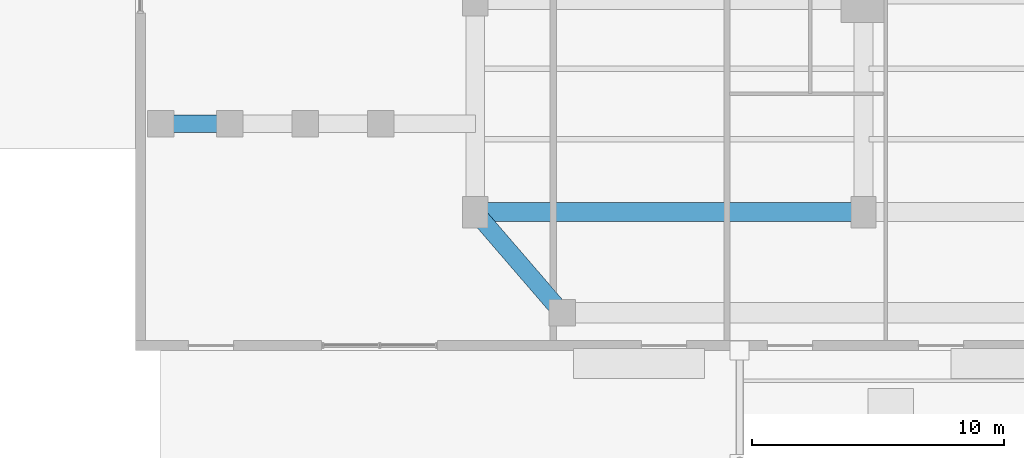
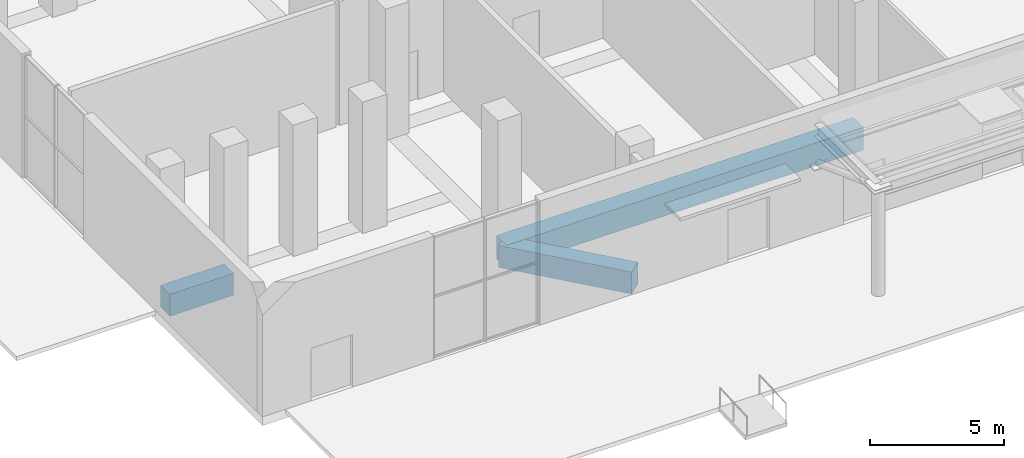
# One storey, part 5 of 25: 3 beams.
"""IFC4 building model written with IfcOpenShell, lengths in metres."""

from ifc_helpers import new_model, si_unit, direction, frame, origin, origin_2d, place, context, subcontext, project, spatial, rectangle, extrude, source, transform, mapped, material, material_profile, profile_set, type_object, element, save


model = new_model("IFC4")

# Units and contexts
model_context = context("Model", 3, precision=1e-05, world=origin(), true_north=direction((0.0, 1.0)))
body_context = subcontext(model_context, "Body", "Model", "MODEL_VIEW")
ifc_project = project(units=[si_unit("LENGTHUNIT", "METRE"), si_unit("AREAUNIT", "SQUARE_METRE"), si_unit("VOLUMEUNIT", "CUBIC_METRE"), si_unit("PLANEANGLEUNIT", "RADIAN"), si_unit("MASSUNIT", "GRAM", prefix="KILO"), si_unit("THERMODYNAMICTEMPERATUREUNIT", "KELVIN")], contexts=[model_context])

# Site, building, storey
site_placement = place(None, origin())
site = spatial("IfcSite", under=ifc_project, at=site_placement, CompositionType="ELEMENT")
building_placement = place(site_placement, origin())
building = spatial("IfcBuilding", under=site, at=building_placement, Name="Kosmvard Interchange Tower", CompositionType="ELEMENT")
storey_placement = place(building_placement, origin())
storey = spatial("IfcBuildingStorey", under=building, at=storey_placement, Name="L00", CompositionType="ELEMENT", Elevation=0.0)

# Beams
ifc_material = material(Name="Concrete C60/75", Category="concrete")
ifc_material_profile_1 = material_profile(ifc_material, rectangle(XDim=0.75, YDim=1.050048828125, at=origin_2d()), Name="RCG 750x1050")
ifc_profile_set_1 = profile_set([ifc_material_profile_1], Name="Concrete C60/75")
beam_type_1 = type_object("IfcBeamType", Name="Concourse Mid-Span RC Girder 750x1050 C60/75", PredefinedType="BEAM", material=ifc_profile_set_1)
shared_shape_1 = source(origin(), body_context, "Body", "SweptSolid", [
    extrude(rectangle(XDim=0.75, YDim=1.050048828125, at=origin_2d()), origin(), (0.0, 0.0, 1.0), 15.4189453125),
])
beam_1_placement = place(storey_placement, frame((-28.5, -21.5, -0.52490234375), z_axis=(1.0, 0.0, 0.0), x_axis=(0.0, 1.0, 0.0)))
element("IfcBeam", 1, at=beam_1_placement, inside=storey, type_object=beam_type_1, Name="BM-L00-PG-S1", PredefinedType="BEAM", context=body_context, shape_type="MappedRepresentation", body=[
    mapped(shared_shape_1, transform((0.0, 0.0, 0.0), scale=1.0)),
])
ifc_material_profile_2 = material_profile(ifc_material, rectangle(XDim=0.699951171875, YDim=1.0, at=origin_2d()), Name="RCG 700x1000")
ifc_profile_set_2 = profile_set([ifc_material_profile_2], Name="Concrete C60/75")
beam_type_2 = type_object("IfcBeamType", Name="Concourse Primary RC Girder 700x1000 C60/75", PredefinedType="BEAM", material=ifc_profile_set_2)
shared_shape_2 = source(origin(), body_context, "Body", "SweptSolid", [
    extrude(rectangle(XDim=0.699951171875, YDim=1.0, at=origin_2d()), origin(), (0.0, 0.0, 1.0), 5.2822265625),
])
beam_2_placement = place(storey_placement, frame((-25.050048828125, -25.5, -0.5), z_axis=(-0.653121547432, 0.757253091298, 0.0), x_axis=(-0.757253091298, -0.653121547432, 0.0)))
element("IfcBeam", 2, at=beam_2_placement, inside=storey, type_object=beam_type_2, Name="BM-L00-PG-TSL", PredefinedType="BEAM", context=body_context, shape_type="MappedRepresentation", body=[
    mapped(shared_shape_2, transform((0.0, 0.0, 0.0), scale=1.0)),
])
shared_shape_3 = source(origin(), body_context, "Body", "SweptSolid", [
    extrude(rectangle(XDim=0.699951171875, YDim=1.0, at=origin_2d()), origin(), (0.0, 0.0, 1.0), 2.75),
])
beam_3_placement = place(storey_placement, frame((-38.25, -18.0, -0.5), z_axis=(-1.0, 0.0, 0.0), x_axis=(0.0, -1.0, 0.0)))
element("IfcBeam", 3, at=beam_3_placement, inside=storey, type_object=beam_type_2, Name="BM-L00-PG-TCW14", PredefinedType="BEAM", context=body_context, shape_type="MappedRepresentation", body=[
    mapped(shared_shape_3, transform((0.0, 0.0, 0.0), scale=1.0)),
])

save(model, "model.ifc")
